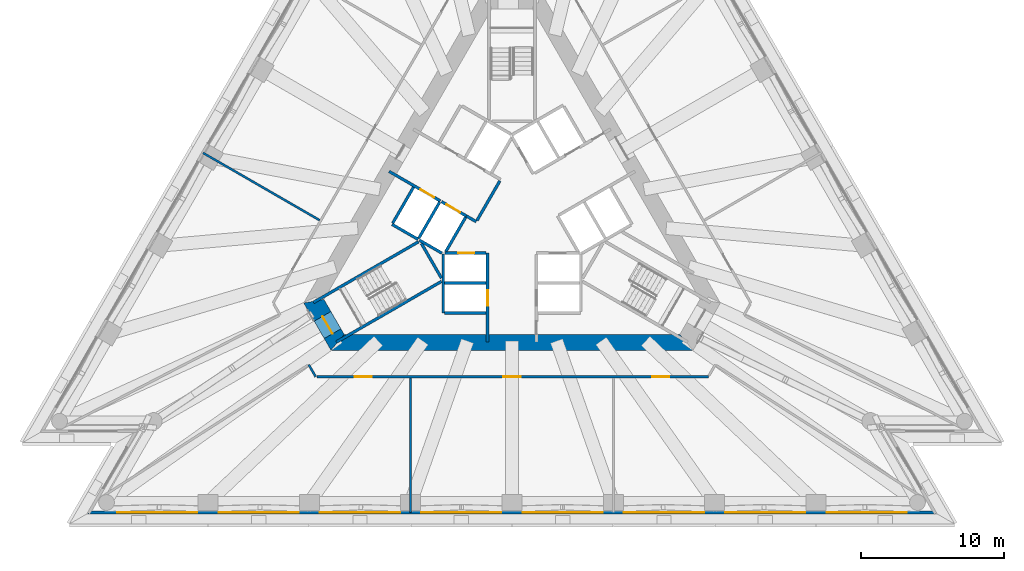
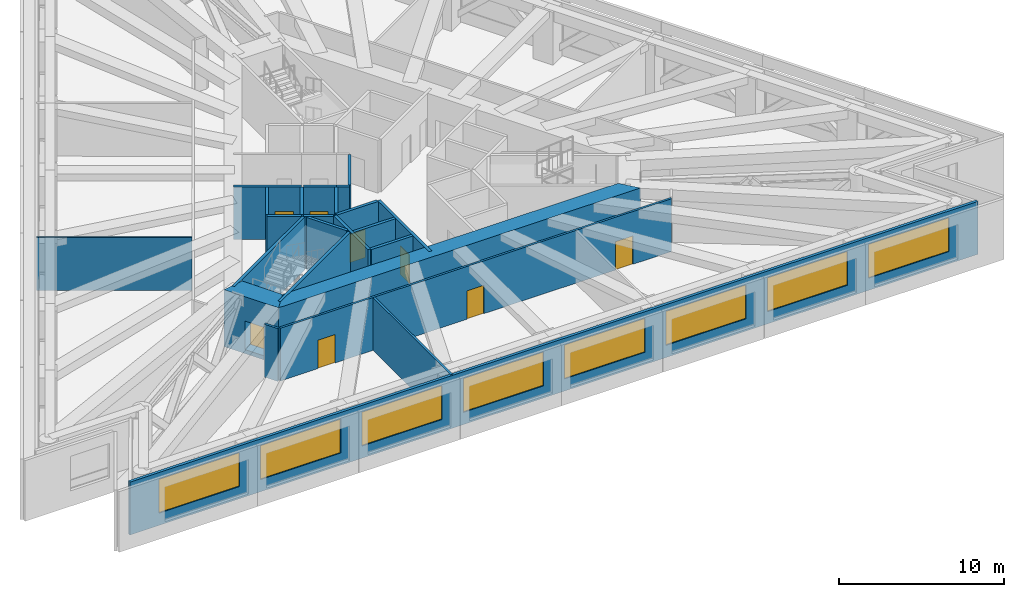
# One storey, part 7 of 13: 24 walls, 8 doors, 8 windows, 16 openings.
"""IFC4 building model written with IfcOpenShell, lengths in metres."""

from ifc_helpers import new_model, si_unit, direction, frame, frame_2d, origin, place, context, subcontext, project, spatial, polyline, rectangle, outline, extrude, material, layer, layer_set, layer_usage, type_object, element, fill, save


model = new_model("IFC4")

# Units and contexts
model_context = context("Model", 3, precision=1e-05, world=origin(), true_north=direction((0.0, 1.0)))
body_context = subcontext(model_context, "Body", "Model", "MODEL_VIEW")
ifc_project = project(units=[si_unit("LENGTHUNIT", "METRE"), si_unit("AREAUNIT", "SQUARE_METRE"), si_unit("VOLUMEUNIT", "CUBIC_METRE"), si_unit("PLANEANGLEUNIT", "RADIAN"), si_unit("MASSUNIT", "GRAM", prefix="KILO")], contexts=[model_context])

# Site, building, storey
site_placement = place(None, origin())
site = spatial("IfcSite", under=ifc_project, at=site_placement, CompositionType="ELEMENT")
building_placement = place(site_placement, origin())
building = spatial("IfcBuilding", under=site, at=building_placement, Name="Triada Interchange Tower", CompositionType="ELEMENT")
storey_placement = place(building_placement, frame((0.0, 0.0, 95.300048828125)))
storey = spatial("IfcBuildingStorey", under=building, at=storey_placement, Name="L21", CompositionType="ELEMENT", Elevation=95.300048828125)

# Walls
ifc_material_1 = material(Name="Concrete C30/37", Category="concrete")
ifc_layer_1 = layer(ifc_material_1, 0.199951171875)
ifc_layer_set_1 = layer_set([ifc_layer_1], Name="CORE WALL 200 EI 120")
wall_type_1 = type_object("IfcWallType", Name="CORE WALL 200 EI 120", PredefinedType="SOLIDWALL", material=ifc_layer_set_1)
wall_1_placement = place(storey_placement, frame((-8.3759765625, -0.70703125, 0.0), z_axis=(0.0, 0.0, 1.0), x_axis=(0.866067520717, -0.499927044236, 0.0)))
element("IfcWall", 1, at=wall_1_placement, inside=storey, type_object=wall_type_1, Name="Wall L21 22", PredefinedType="SOLIDWALL", context=body_context, shape_type="SweptSolid", body=[
    extrude(rectangle(XDim=2.100341796875, YDim=0.199951171875, at=frame_2d((1.05029296875, 0.0))), origin(), (0.0, 0.0, 1.0), 3.89990234375),
])
wall_2_placement = place(storey_placement, frame((-8.325927734375, -0.6201171875, 0.0), z_axis=(0.0, 0.0, 1.0), x_axis=(0.500023687443, 0.866011727401, 0.0)))
element("IfcWall", 2, at=wall_2_placement, inside=storey, type_object=wall_type_1, Name="Wall L21 23", PredefinedType="SOLIDWALL", context=body_context, shape_type="SweptSolid", body=[
    extrude(rectangle(XDim=2.899658203125, YDim=0.199951171875, at=frame_2d((1.44970703125, 0.0))), origin(), (0.0, 0.0, 1.0), 3.89990234375),
])
wall_3_placement = place(storey_placement, frame((-4.699951171875, -4.800048828125, 0.0), z_axis=(0.0, 0.0, 1.0), x_axis=(1.0, 0.0, 0.0)))
element("IfcWall", 3, at=wall_3_placement, inside=storey, type_object=wall_type_1, Name="Wall L21 24", PredefinedType="SOLIDWALL", context=body_context, shape_type="SweptSolid", body=[
    extrude(rectangle(XDim=2.89990234375, YDim=0.199951171875, at=frame_2d((1.449951171875, 0.0))), origin(), (0.0, 0.0, 1.0), 3.89990234375),
])
wall_4_placement = place(storey_placement, frame((-4.800048828125, -6.89990234375, 0.0), z_axis=(0.0, 0.0, 1.0), x_axis=(0.0, 1.0, 0.0)))
element("IfcWall", 4, at=wall_4_placement, inside=storey, type_object=wall_type_1, Name="Wall L21 26", PredefinedType="SOLIDWALL", context=body_context, shape_type="SweptSolid", body=[
    extrude(rectangle(XDim=4.130859375, YDim=0.199951171875, at=frame_2d((2.0654296875, 0.0))), origin(), (0.0, 0.0, 1.0), 3.89990234375),
])
wall_5_placement = place(storey_placement, frame((-4.699951171875, -6.89990234375, 0.0), z_axis=(0.0, 0.0, 1.0), x_axis=(1.0, 0.0, 0.0)))
element("IfcWall", 5, at=wall_5_placement, inside=storey, type_object=wall_type_1, Name="Wall L21 27", PredefinedType="SOLIDWALL", context=body_context, shape_type="SweptSolid", body=[
    extrude(rectangle(XDim=2.89990234375, YDim=0.199951171875, at=frame_2d((1.449951171875, 0.0))), origin(), (0.0, 0.0, 1.0), 3.89990234375),
])

# Wall, opening, door
wall_6_placement = place(storey_placement, frame((-1.699951171875, -8.929931640625, 0.0), z_axis=(0.0, 0.0, 1.0), x_axis=(0.0, 1.0, 0.0)))
wall_6 = element("IfcWall", 6, at=wall_6_placement, inside=storey, type_object=wall_type_1, Name="Wall L21 29", PredefinedType="SOLIDWALL", context=body_context, shape_type="SweptSolid", body=[
    extrude(rectangle(XDim=6.22705078125, YDim=0.199951171875, at=frame_2d((3.113525390625, 0.0))), origin(), (0.0, 0.0, 1.0), 3.89990234375),
])
opening_1_placement = place(wall_6_placement, frame((2.530029296875, 0.0, 0.0)))
opening_1 = element("IfcOpeningElement", 7, at=opening_1_placement, cuts=wall_6, Name="Opening LD-LR4", PredefinedType="OPENING", context=body_context, shape_type="SweptSolid", body=[
    extrude(rectangle(XDim=1.10009765625, YDim=2.10009765625, at=frame_2d((0.550048828125, 1.050048828125))), frame((0.0, 0.10986328125, 0.0), z_axis=(0.0, -1.0, 0.0), x_axis=(1.0, 0.0, 0.0)), (0.0, 0.0, 1.0), 0.219970703125),
])
ifc_material_2 = material(Name="Steel S235 door leaf", Category="steel")
door_type_1 = type_object("IfcDoorType", Name="LIFT LANDING DOOR 1100 EI 120", OperationType="SLIDING_TO_LEFT", PredefinedType="DOOR", material=ifc_material_2)
door_1_placement = place(opening_1_placement, origin())
door_1 = element("IfcDoor", 8, at=door_1_placement, inside=storey, type_object=door_type_1, Name="LR4 landing door L21", OperationType="SLIDING_TO_LEFT", OverallHeight=2.10009765625, OverallWidth=1.10009765625, PredefinedType="DOOR", context=body_context, shape_type="SweptSolid", body=[
    extrude(rectangle(XDim=1.10009765625, YDim=2.10009765625, at=frame_2d((0.550048828125, 1.050048828125))), frame((0.0, 0.02490234375, 0.0), z_axis=(0.0, -1.0, 0.0), x_axis=(1.0, 0.0, 0.0)), (0.0, 0.0, 1.0), 0.050048828125),
])
fill(opening_1, door_1)

wall_7_placement = place(storey_placement, frame((-4.676025390625, -2.699951171875, 0.0), z_axis=(0.0, 0.0, 1.0), x_axis=(1.0, 0.0, 0.0)))
wall_7 = element("IfcWall", 9, at=wall_7_placement, inside=storey, type_object=wall_type_1, Name="Wall L21 30", PredefinedType="SOLIDWALL", context=body_context, shape_type="SweptSolid", body=[
    extrude(rectangle(XDim=2.873046875, YDim=0.199951171875, at=frame_2d((1.4365234375, 0.0))), origin(), (0.0, 0.0, 1.0), 3.89990234375),
])
opening_2_placement = place(wall_7_placement, frame((0.93701171875, 0.0, 0.0)))
opening_2 = element("IfcOpeningElement", 10, at=opening_2_placement, cuts=wall_7, Name="Opening LD-LR3", PredefinedType="OPENING", context=body_context, shape_type="SweptSolid", body=[
    extrude(rectangle(XDim=1.10009765625, YDim=2.10009765625, at=frame_2d((0.550048828125, 1.050048828125))), frame((0.0, 0.10986328125, 0.0), z_axis=(0.0, -1.0, 0.0), x_axis=(1.0, 0.0, 0.0)), (0.0, 0.0, 1.0), 0.219970703125),
])
door_2_placement = place(opening_2_placement, origin())
door_2 = element("IfcDoor", 11, at=door_2_placement, inside=storey, type_object=door_type_1, Name="LR3 landing door L21", OperationType="SLIDING_TO_LEFT", OverallHeight=2.10009765625, OverallWidth=1.10009765625, PredefinedType="DOOR", context=body_context, shape_type="SweptSolid", body=[
    extrude(rectangle(XDim=1.10009765625, YDim=2.10009765625, at=frame_2d((0.550048828125, 1.050048828125))), frame((0.0, 0.02490234375, 0.0), z_axis=(0.0, -1.0, 0.0), x_axis=(1.0, 0.0, 0.0)), (0.0, 0.0, 1.0), 0.050048828125),
])
fill(opening_2, door_2)

ifc_layer_2 = layer(ifc_material_1, 0.199951171875)
ifc_layer_set_2 = layer_set([ifc_layer_2], Name="CORE WALL 200 EI 180")
wall_type_2 = type_object("IfcWallType", Name="CORE WALL 200 EI 180", PredefinedType="SOLIDWALL", material=ifc_layer_set_2)
wall_8_placement = place(storey_placement, frame((-8.583984375, 2.992919921875, 0.0), z_axis=(0.0, 0.0, 1.0), x_axis=(0.866075409494, -0.499913377567, 0.0)))
wall_8 = element("IfcWall", 12, at=wall_8_placement, inside=storey, type_object=wall_type_2, Name="Wall L21 44", PredefinedType="SOLIDWALL", context=body_context, shape_type="SweptSolid", body=[
    extrude(rectangle(XDim=4.132568359375, YDim=0.199951171875, at=frame_2d((2.06640625, 0.0))), origin(), (0.0, 0.0, 1.0), 3.89990234375),
])
opening_3_placement = place(wall_8_placement, frame((2.530029296875, 0.0, 0.0)))
opening_3 = element("IfcOpeningElement", 13, at=opening_3_placement, cuts=wall_8, Name="Opening LD-SV1", PredefinedType="OPENING", context=body_context, shape_type="SweptSolid", body=[
    extrude(rectangle(XDim=1.10009765625, YDim=2.10009765625, at=frame_2d((0.550048828125, 1.050048828125))), frame((0.0, 0.10986328125, 0.0), z_axis=(0.0, -1.0, 0.0), x_axis=(1.0, 0.0, 0.0)), (0.0, 0.0, 1.0), 0.219970703125),
])
door_3_placement = place(opening_3_placement, origin())
door_3 = element("IfcDoor", 14, at=door_3_placement, inside=storey, type_object=door_type_1, Name="SV1 landing door L21", OperationType="SLIDING_TO_LEFT", OverallHeight=2.10009765625, OverallWidth=1.10009765625, PredefinedType="DOOR", context=body_context, shape_type="SweptSolid", body=[
    extrude(rectangle(XDim=1.10009765625, YDim=2.10009765625, at=frame_2d((0.550048828125, 1.050048828125))), frame((0.0, 0.02490234375, 0.0), z_axis=(0.0, -1.0, 0.0), x_axis=(1.0, 0.0, 0.0)), (0.0, 0.0, 1.0), 0.050048828125),
])
fill(opening_3, door_3)

# Walls
wall_9_placement = place(storey_placement, frame((-3.18798828125, -0.1220703125, 0.0), z_axis=(0.0, 0.0, 1.0), x_axis=(0.865705793592, -0.50055317294, 0.0)))
element("IfcWall", 15, at=wall_9_placement, inside=storey, type_object=wall_type_2, Name="Wall L21 45", PredefinedType="SOLIDWALL", context=body_context, shape_type="SweptSolid", body=[
    extrude(rectangle(XDim=0.796875, YDim=0.199951171875, at=frame_2d((0.3984375, 0.0))), origin(), (0.0, 0.0, 1.0), 3.89990234375),
])
wall_10_placement = place(storey_placement, frame((-2.444091796875, -0.43310546875, 0.0), z_axis=(0.0, 0.0, 1.0), x_axis=(0.500035624827, 0.866004834804, 0.0)))
element("IfcWall", 16, at=wall_10_placement, inside=storey, type_object=wall_type_2, Name="Wall L21 50", PredefinedType="SOLIDWALL", context=body_context, shape_type="SweptSolid", body=[
    extrude(rectangle(XDim=3.194091796875, YDim=0.199951171875, at=frame_2d((1.59716796875, 0.0))), origin(), (0.0, 0.0, 1.0), 3.89990234375),
])
wall_11_placement = place(storey_placement, frame((-6.507080078125, -1.669921875, 0.0), z_axis=(0.0, 0.0, 1.0), x_axis=(0.50012328804, 0.865954211699, 0.0)))
element("IfcWall", 17, at=wall_11_placement, inside=storey, type_object=wall_type_2, Name="Shaft wall FF1 L21 51", PredefinedType="SOLIDWALL", context=body_context, shape_type="SweptSolid", body=[
    extrude(rectangle(XDim=2.899658203125, YDim=0.199951171875, at=frame_2d((1.44970703125, 0.0))), origin(), (0.0, 0.0, 1.0), 3.89990234375),
])
wall_12_placement = place(storey_placement, frame((-6.469970703125, -1.806884765625, 0.0), z_axis=(0.0, 0.0, 1.0), x_axis=(0.865883195159, -0.500246231712, 0.0)))
element("IfcWall", 18, at=wall_12_placement, inside=storey, type_object=wall_type_2, Name="Shaft wall FF1 L21 52", PredefinedType="SOLIDWALL", context=body_context, shape_type="SweptSolid", body=[
    extrude(rectangle(XDim=1.8154296875, YDim=0.199951171875, at=frame_2d((0.90771484375, 0.0))), origin(), (0.0, 0.0, 1.0), 3.89990234375),
])

# Wall, opening, door
wall_13_placement = place(storey_placement, frame((-4.922119140625, 0.87890625, 0.0), z_axis=(0.0, 0.0, 1.0), x_axis=(0.866073918653, -0.499915960366, 0.0)))
wall_13 = element("IfcWall", 19, at=wall_13_placement, inside=storey, type_object=wall_type_2, Name="Shaft wall FF1 L21 53", PredefinedType="SOLIDWALL", context=body_context, shape_type="SweptSolid", body=[
    extrude(rectangle(XDim=2.002197265625, YDim=0.199951171875, at=frame_2d((1.0009765625, 0.0))), origin(), (0.0, 0.0, 1.0), 3.89990234375),
])
opening_4_placement = place(wall_13_placement, frame((0.402099609375, 0.0, 0.0)))
opening_4 = element("IfcOpeningElement", 20, at=opening_4_placement, cuts=wall_13, Name="Opening LD-FF1", PredefinedType="OPENING", context=body_context, shape_type="SweptSolid", body=[
    extrude(rectangle(XDim=1.10009765625, YDim=2.10009765625, at=frame_2d((0.550048828125, 1.050048828125))), frame((0.0, 0.10986328125, 0.0), z_axis=(0.0, -1.0, 0.0), x_axis=(1.0, 0.0, 0.0)), (0.0, 0.0, 1.0), 0.219970703125),
])
door_4_placement = place(opening_4_placement, origin())
door_4 = element("IfcDoor", 21, at=door_4_placement, inside=storey, type_object=door_type_1, Name="FF1 landing door L21", OperationType="SLIDING_TO_LEFT", OverallHeight=2.10009765625, OverallWidth=1.10009765625, PredefinedType="DOOR", context=body_context, shape_type="SweptSolid", body=[
    extrude(rectangle(XDim=1.10009765625, YDim=2.10009765625, at=frame_2d((0.550048828125, 1.050048828125))), frame((0.0, 0.02490234375, 0.0), z_axis=(0.0, -1.0, 0.0), x_axis=(1.0, 0.0, 0.0)), (0.0, 0.0, 1.0), 0.050048828125),
])
fill(opening_4, door_4)

# Walls
wall_14_placement = place(storey_placement, frame((-4.618896484375, -2.60009765625, 0.0), z_axis=(0.0, 0.0, 1.0), x_axis=(0.50009492287, 0.865970593103, 0.0)))
element("IfcWall", 22, at=wall_14_placement, inside=storey, type_object=wall_type_2, Name="Shaft wall FF1 L21 54", PredefinedType="SOLIDWALL", context=body_context, shape_type="SweptSolid", body=[
    extrude(rectangle(XDim=2.76123046875, YDim=0.199951171875, at=frame_2d((1.380615234375, 0.0))), origin(), (0.0, 0.0, 1.0), 3.89990234375),
])
ifc_layer_3 = layer(ifc_material_1, 0.199951171875)
ifc_layer_set_3 = layer_set([ifc_layer_3], Name="CORE WALL 200 REI 240")
wall_type_3 = type_object("IfcWallType", Name="CORE WALL 200 REI 240", PredefinedType="SOLIDWALL", material=ifc_layer_set_3)
wall_15_placement = place(storey_placement, frame((-13.866943359375, -6.158935546875, 0.0), z_axis=(0.0, 0.0, 1.0), x_axis=(0.866010926821, 0.500025073997, 0.0)))
element("IfcWall", 23, at=wall_15_placement, inside=storey, type_object=wall_type_3, Name="Wall L21 60", PredefinedType="SOLIDWALL", context=body_context, shape_type="SweptSolid", body=[
    extrude(rectangle(XDim=8.47314453125, YDim=0.199951171875, at=frame_2d((4.236572265625, 0.0))), origin(), (0.0, 0.0, 1.0), 3.89990234375),
])
wall_16_placement = place(storey_placement, frame((-6.3291015625, -2.0380859375, 0.0), z_axis=(0.0, 0.0, 1.0), x_axis=(0.500200581029, -0.865909567298, 0.0)))
element("IfcWall", 24, at=wall_16_placement, inside=storey, type_object=wall_type_3, Name="Wall L21 61", PredefinedType="SOLIDWALL", context=body_context, shape_type="SweptSolid", body=[
    extrude(rectangle(XDim=2.799072265625, YDim=0.199951171875, at=frame_2d((1.3994140625, 0.0))), origin(), (0.0, 0.0, 1.0), 3.89990234375),
])
wall_17_placement = place(storey_placement, frame((-12.26708984375, -8.929931640625, 0.0), z_axis=(0.0, 0.0, 1.0), x_axis=(0.866018130586, 0.500012597338, 0.0)))
element("IfcWall", 25, at=wall_17_placement, inside=storey, type_object=wall_type_3, Name="Wall L21 62", PredefinedType="SOLIDWALL", context=body_context, shape_type="SweptSolid", body=[
    extrude(rectangle(XDim=8.473388671875, YDim=0.199951171875, at=frame_2d((4.23681640625, 0.0))), origin(), (0.0, 0.0, 1.0), 3.89990234375),
])
ifc_material_3 = material(Name="Concrete C70/85", Category="concrete")
ifc_layer_4 = layer(ifc_material_3, 1.10009765625)
ifc_layer_set_4 = layer_set([ifc_layer_4], Name="Core wall A 1100")
wall_type_4 = type_object("IfcWallType", Name="Core wall A 1100", PredefinedType="SHEAR", material=ifc_layer_set_4)
wall_18_placement = place(storey_placement, frame((-12.181884765625, -8.949951171875, -0.300048828125), z_axis=(0.0, 0.0, 1.0), x_axis=(1.0, 0.0, 0.0)))
element("IfcWall", 26, at=wall_18_placement, inside=storey, type_object=wall_type_4, Name="Core wall WA04 L21", PredefinedType="SHEAR", context=body_context, shape_type="SweptSolid", body=[
    extrude(outline(polyline([(-0.4619140625, -0.550048828125), (1.4833984375, -0.550048828125), (3.428466796875, -0.550048828125), (5.373779296875, -0.550048828125), (7.31884765625, -0.550048828125), (9.26416015625, -0.550048828125), (11.20947265625, -0.550048828125), (13.154541015625, -0.550048828125), (15.099853515625, -0.550048828125), (17.045166015625, -0.550048828125), (18.990234375, -0.550048828125), (20.935546875, -0.550048828125), (22.880615234375, -0.550048828125), (24.825927734375, -0.550048828125), (23.902099609375, 0.550048828125), (21.94873046875, 0.550048828125), (19.995361328125, 0.550048828125), (18.0419921875, 0.550048828125), (16.088623046875, 0.550048828125), (14.13525390625, 0.550048828125), (12.18212890625, 0.550048828125), (10.228759765625, 0.550048828125), (8.275390625, 0.550048828125), (6.322021484375, 0.550048828125), (4.36865234375, 0.550048828125), (2.415283203125, 0.550048828125), (0.4619140625, 0.550048828125), (-0.4619140625, -0.550048828125)])), origin(), (0.0, 0.0, 1.0), 4.199951171875),
])

# Wall, opening, door
ifc_layer_5 = layer(ifc_material_3, 1.35009765625)
ifc_layer_set_5 = layer_set([ifc_layer_5], Name="Core wall A 1350")
wall_type_5 = type_object("IfcWallType", Name="Core wall A 1350", PredefinedType="SHEAR", material=ifc_layer_set_5)
wall_19_placement = place(storey_placement, frame((-13.842041015625, -6.074951171875, -0.300048828125), z_axis=(0.0, 0.0, 1.0), x_axis=(0.500061949227, -0.865989634427, 0.0)))
wall_19 = element("IfcWall", 27, at=wall_19_placement, inside=storey, type_object=wall_type_5, Name="Core wall WA03 L21", PredefinedType="SHEAR", context=body_context, shape_type="SweptSolid", body=[
    extrude(outline(polyline([(-0.2451171875, -0.675048828125), (1.659912109375, -0.675048828125), (3.56494140625, -0.675048828125), (3.074951171875, 0.675048828125), (1.66015625, 0.675048828125), (0.2451171875, 0.675048828125), (-0.2451171875, -0.675048828125)])), origin(), (0.0, 0.0, 1.0), 4.199951171875),
])
opening_5_placement = place(wall_19_placement, frame((1.220947265625, 0.0, 0.300048828125)))
opening_5 = element("IfcOpeningElement", 28, at=opening_5_placement, cuts=wall_19, Name="Opening D21-22", PredefinedType="OPENING", context=body_context, shape_type="SweptSolid", body=[
    extrude(rectangle(XDim=1.39990234375, YDim=2.10009765625, at=frame_2d((0.699951171875, 1.050048828125))), frame((0.0, 0.68505859375, 0.0), z_axis=(0.0, -1.0, 0.0), x_axis=(1.0, 0.0, 0.0)), (0.0, 0.0, 1.0), 1.3701171875),
])
door_type_2 = type_object("IfcDoorType", Name="STAIR DOOR 1400 EI2 90-C5S200", OperationType="DOUBLE_DOOR_SINGLE_SWING", PredefinedType="DOOR", material=ifc_material_2)
door_5_placement = place(opening_5_placement, origin())
door_5 = element("IfcDoor", 29, at=door_5_placement, inside=storey, type_object=door_type_2, Name="Door D21-22 L21", OperationType="DOUBLE_DOOR_SINGLE_SWING", OverallHeight=2.10009765625, OverallWidth=1.39990234375, PredefinedType="DOOR", context=body_context, shape_type="SweptSolid", body=[
    extrude(rectangle(XDim=1.39990234375, YDim=2.10009765625, at=frame_2d((0.699951171875, 1.050048828125))), frame((0.0, 0.02490234375, 0.0), z_axis=(0.0, -1.0, 0.0), x_axis=(1.0, 0.0, 0.0)), (0.0, 0.0, 1.0), 0.050048828125),
])
fill(opening_5, door_5)

# Wall, openings, windows
ifc_material_4 = material(Name="Cement board")
ifc_layer_6 = layer(ifc_material_4, 0.02001953125, Name="Cement board cladding")
ifc_material_5 = material(Name="Sheathing board")
ifc_layer_7 = layer(ifc_material_5, 0.014892578125, Name="Sheathing board")
ifc_material_6 = material(Name="Mineral wool")
ifc_layer_8 = layer(ifc_material_6, 0.14990234375, Name="Mineral wool between steel studs")
ifc_material_7 = material(Name="Gypsum board")
ifc_layer_9 = layer(ifc_material_7, 0.014892578125, Name="Plasterboard lining")
ifc_layer_set_6 = layer_set([ifc_layer_6, ifc_layer_7, ifc_layer_8, ifc_layer_9], Name="External wall 200")
ifc_layer_usage = layer_usage(ifc_layer_set_6, "AXIS2", "POSITIVE", -0.10009765625)
wall_type_6 = type_object("IfcWallType", Name="External wall 200", PredefinedType="ELEMENTEDWALL", material=ifc_layer_set_6)
wall_20_placement = place(storey_placement, frame((-29.6220703125, -20.8369140625, 0.0), z_axis=(0.0, 0.0, 1.0), x_axis=(1.0, 0.0, 0.0)))
wall_20 = element("IfcWall", 30, at=wall_20_placement, inside=storey, type_object=wall_type_6, material=ifc_layer_usage, Name="External wall L21 S", PredefinedType="ELEMENTEDWALL", context=body_context, shape_type="SweptSolid", body=[
    extrude(rectangle(XDim=59.22412109375, YDim=0.199951171875, at=frame_2d((29.612060546875, 0.0))), origin(), (0.0, 0.0, 1.0), 3.89990234375),
])
opening_6_placement = place(wall_20_placement, frame((2.04296875, 0.0, 0.89990234375)))
opening_6 = element("IfcOpeningElement", 31, at=opening_6_placement, cuts=wall_20, Name="Opening WA11", PredefinedType="OPENING", context=body_context, shape_type="SweptSolid", body=[
    extrude(rectangle(XDim=5.60009765625, YDim=2.5, at=frame_2d((2.800048828125, 1.25))), frame((0.0, 0.10986328125, 0.0), z_axis=(0.0, -1.0, 0.0), x_axis=(1.0, 0.0, 0.0)), (0.0, 0.0, 1.0), 0.219970703125),
])
opening_7_placement = place(wall_20_placement, frame((9.123046875, 0.0, 0.89990234375)))
opening_7 = element("IfcOpeningElement", 32, at=opening_7_placement, cuts=wall_20, Name="Opening WA12", PredefinedType="OPENING", context=body_context, shape_type="SweptSolid", body=[
    extrude(rectangle(XDim=5.60009765625, YDim=2.5, at=frame_2d((2.800048828125, 1.25))), frame((0.0, 0.10986328125, 0.0), z_axis=(0.0, -1.0, 0.0), x_axis=(1.0, 0.0, 0.0)), (0.0, 0.0, 1.0), 0.219970703125),
])
opening_8_placement = place(wall_20_placement, frame((16.201904296875, 0.0, 0.89990234375)))
opening_8 = element("IfcOpeningElement", 33, at=opening_8_placement, cuts=wall_20, Name="Opening WA13", PredefinedType="OPENING", context=body_context, shape_type="SweptSolid", body=[
    extrude(rectangle(XDim=5.60009765625, YDim=2.5, at=frame_2d((2.800048828125, 1.25))), frame((0.0, 0.10986328125, 0.0), z_axis=(0.0, -1.0, 0.0), x_axis=(1.0, 0.0, 0.0)), (0.0, 0.0, 1.0), 0.219970703125),
])
opening_9_placement = place(wall_20_placement, frame((23.281982421875, 0.0, 0.89990234375)))
opening_9 = element("IfcOpeningElement", 34, at=opening_9_placement, cuts=wall_20, Name="Opening WA14", PredefinedType="OPENING", context=body_context, shape_type="SweptSolid", body=[
    extrude(rectangle(XDim=5.60009765625, YDim=2.5, at=frame_2d((2.800048828125, 1.25))), frame((0.0, 0.10986328125, 0.0), z_axis=(0.0, -1.0, 0.0), x_axis=(1.0, 0.0, 0.0)), (0.0, 0.0, 1.0), 0.219970703125),
])
opening_10_placement = place(wall_20_placement, frame((30.362060546875, 0.0, 0.89990234375)))
opening_10 = element("IfcOpeningElement", 35, at=opening_10_placement, cuts=wall_20, Name="Opening WA15", PredefinedType="OPENING", context=body_context, shape_type="SweptSolid", body=[
    extrude(rectangle(XDim=5.60009765625, YDim=2.5, at=frame_2d((2.800048828125, 1.25))), frame((0.0, 0.10986328125, 0.0), z_axis=(0.0, -1.0, 0.0), x_axis=(1.0, 0.0, 0.0)), (0.0, 0.0, 1.0), 0.219970703125),
])
opening_11_placement = place(wall_20_placement, frame((37.44189453125, 0.0, 0.89990234375)))
opening_11 = element("IfcOpeningElement", 36, at=opening_11_placement, cuts=wall_20, Name="Opening WA16", PredefinedType="OPENING", context=body_context, shape_type="SweptSolid", body=[
    extrude(rectangle(XDim=5.60009765625, YDim=2.5, at=frame_2d((2.800048828125, 1.25))), frame((0.0, 0.10986328125, 0.0), z_axis=(0.0, -1.0, 0.0), x_axis=(1.0, 0.0, 0.0)), (0.0, 0.0, 1.0), 0.219970703125),
])
opening_12_placement = place(wall_20_placement, frame((44.52099609375, 0.0, 0.89990234375)))
opening_12 = element("IfcOpeningElement", 37, at=opening_12_placement, cuts=wall_20, Name="Opening WA17", PredefinedType="OPENING", context=body_context, shape_type="SweptSolid", body=[
    extrude(rectangle(XDim=5.60009765625, YDim=2.5, at=frame_2d((2.800048828125, 1.25))), frame((0.0, 0.10986328125, 0.0), z_axis=(0.0, -1.0, 0.0), x_axis=(1.0, 0.0, 0.0)), (0.0, 0.0, 1.0), 0.219970703125),
])
opening_13_placement = place(wall_20_placement, frame((51.60107421875, 0.0, 0.89990234375)))
opening_13 = element("IfcOpeningElement", 38, at=opening_13_placement, cuts=wall_20, Name="Opening WA18", PredefinedType="OPENING", context=body_context, shape_type="SweptSolid", body=[
    extrude(rectangle(XDim=5.60009765625, YDim=2.5, at=frame_2d((2.800048828125, 1.25))), frame((0.0, 0.10986328125, 0.0), z_axis=(0.0, -1.0, 0.0), x_axis=(1.0, 0.0, 0.0)), (0.0, 0.0, 1.0), 0.219970703125),
])
ifc_material_8 = material(Name="Double glazed aluminium window", Category="aluminium")
window_type = type_object("IfcWindowType", Name="Ribbon window A face", PartitioningType="SINGLE_PANEL", PredefinedType="WINDOW", material=ifc_material_8)
window_1_placement = place(opening_6_placement, origin())
window_1 = element("IfcWindow", 39, at=window_1_placement, inside=storey, type_object=window_type, Name="Window L21 S 1", OverallHeight=2.5, OverallWidth=5.60009765625, PartitioningType="SINGLE_PANEL", PredefinedType="WINDOW", context=body_context, shape_type="SweptSolid", body=[
    extrude(rectangle(XDim=5.60009765625, YDim=2.5, at=frame_2d((2.800048828125, 1.25))), frame((0.0, 0.030029296875, 0.0), z_axis=(0.0, -1.0, 0.0), x_axis=(1.0, 0.0, 0.0)), (0.0, 0.0, 1.0), 0.06005859375),
])
fill(opening_6, window_1)
window_2_placement = place(opening_7_placement, origin())
window_2 = element("IfcWindow", 40, at=window_2_placement, inside=storey, type_object=window_type, Name="Window L21 S 2", OverallHeight=2.5, OverallWidth=5.60009765625, PartitioningType="SINGLE_PANEL", PredefinedType="WINDOW", context=body_context, shape_type="SweptSolid", body=[
    extrude(rectangle(XDim=5.60009765625, YDim=2.5, at=frame_2d((2.800048828125, 1.25))), frame((0.0, 0.030029296875, 0.0), z_axis=(0.0, -1.0, 0.0), x_axis=(1.0, 0.0, 0.0)), (0.0, 0.0, 1.0), 0.06005859375),
])
fill(opening_7, window_2)
window_3_placement = place(opening_8_placement, origin())
window_3 = element("IfcWindow", 41, at=window_3_placement, inside=storey, type_object=window_type, Name="Window L21 S 3", OverallHeight=2.5, OverallWidth=5.60009765625, PartitioningType="SINGLE_PANEL", PredefinedType="WINDOW", context=body_context, shape_type="SweptSolid", body=[
    extrude(rectangle(XDim=5.60009765625, YDim=2.5, at=frame_2d((2.800048828125, 1.25))), frame((0.0, 0.030029296875, 0.0), z_axis=(0.0, -1.0, 0.0), x_axis=(1.0, 0.0, 0.0)), (0.0, 0.0, 1.0), 0.06005859375),
])
fill(opening_8, window_3)
window_4_placement = place(opening_9_placement, origin())
window_4 = element("IfcWindow", 42, at=window_4_placement, inside=storey, type_object=window_type, Name="Window L21 S 4", OverallHeight=2.5, OverallWidth=5.60009765625, PartitioningType="SINGLE_PANEL", PredefinedType="WINDOW", context=body_context, shape_type="SweptSolid", body=[
    extrude(rectangle(XDim=5.60009765625, YDim=2.5, at=frame_2d((2.800048828125, 1.25))), frame((0.0, 0.030029296875, 0.0), z_axis=(0.0, -1.0, 0.0), x_axis=(1.0, 0.0, 0.0)), (0.0, 0.0, 1.0), 0.06005859375),
])
fill(opening_9, window_4)
window_5_placement = place(opening_10_placement, origin())
window_5 = element("IfcWindow", 43, at=window_5_placement, inside=storey, type_object=window_type, Name="Window L21 S 5", OverallHeight=2.5, OverallWidth=5.60009765625, PartitioningType="SINGLE_PANEL", PredefinedType="WINDOW", context=body_context, shape_type="SweptSolid", body=[
    extrude(rectangle(XDim=5.60009765625, YDim=2.5, at=frame_2d((2.800048828125, 1.25))), frame((0.0, 0.030029296875, 0.0), z_axis=(0.0, -1.0, 0.0), x_axis=(1.0, 0.0, 0.0)), (0.0, 0.0, 1.0), 0.06005859375),
])
fill(opening_10, window_5)
window_6_placement = place(opening_11_placement, origin())
window_6 = element("IfcWindow", 44, at=window_6_placement, inside=storey, type_object=window_type, Name="Window L21 S 6", OverallHeight=2.5, OverallWidth=5.60009765625, PartitioningType="SINGLE_PANEL", PredefinedType="WINDOW", context=body_context, shape_type="SweptSolid", body=[
    extrude(rectangle(XDim=5.60009765625, YDim=2.5, at=frame_2d((2.800048828125, 1.25))), frame((0.0, 0.030029296875, 0.0), z_axis=(0.0, -1.0, 0.0), x_axis=(1.0, 0.0, 0.0)), (0.0, 0.0, 1.0), 0.06005859375),
])
fill(opening_11, window_6)
window_7_placement = place(opening_12_placement, origin())
window_7 = element("IfcWindow", 45, at=window_7_placement, inside=storey, type_object=window_type, Name="Window L21 S 7", OverallHeight=2.5, OverallWidth=5.60009765625, PartitioningType="SINGLE_PANEL", PredefinedType="WINDOW", context=body_context, shape_type="SweptSolid", body=[
    extrude(rectangle(XDim=5.60009765625, YDim=2.5, at=frame_2d((2.800048828125, 1.25))), frame((0.0, 0.030029296875, 0.0), z_axis=(0.0, -1.0, 0.0), x_axis=(1.0, 0.0, 0.0)), (0.0, 0.0, 1.0), 0.06005859375),
])
fill(opening_12, window_7)
window_8_placement = place(opening_13_placement, origin())
window_8 = element("IfcWindow", 46, at=window_8_placement, inside=storey, type_object=window_type, Name="Window L21 S 8", OverallHeight=2.5, OverallWidth=5.60009765625, PartitioningType="SINGLE_PANEL", PredefinedType="WINDOW", context=body_context, shape_type="SweptSolid", body=[
    extrude(rectangle(XDim=5.60009765625, YDim=2.5, at=frame_2d((2.800048828125, 1.25))), frame((0.0, 0.030029296875, 0.0), z_axis=(0.0, -1.0, 0.0), x_axis=(1.0, 0.0, 0.0)), (0.0, 0.0, 1.0), 0.06005859375),
])
fill(opening_13, window_8)

# Wall
ifc_material_9 = material(Name="Gypsum board partition")
ifc_layer_10 = layer(ifc_material_9, 0.14990234375)
ifc_layer_set_7 = layer_set([ifc_layer_10], Name="PARTITION 150 EI 180")
wall_type_7 = type_object("IfcWallType", Name="PARTITION 150 EI 180", PredefinedType="PARTITIONING", material=ifc_layer_set_7)
wall_21_placement = place(storey_placement, frame((-14.198974609375, -10.507080078125, 0.0), z_axis=(0.0, 0.0, 1.0), x_axis=(0.500265064493, -0.865872314633, 0.0)))
element("IfcWall", 47, at=wall_21_placement, inside=storey, type_object=wall_type_7, Name="Wall L21 3", PredefinedType="PARTITIONING", context=body_context, shape_type="SweptSolid", body=[
    extrude(rectangle(XDim=0.9736328125, YDim=0.14990234375, at=frame_2d((0.48681640625, 0.0))), origin(), (0.0, 0.0, 1.0), 3.89990234375),
])

# Wall, openings, doors
wall_22_placement = place(storey_placement, frame((-13.625, -11.35009765625, 0.0), z_axis=(0.0, 0.0, 1.0), x_axis=(1.0, 0.0, 0.0)))
wall_22 = element("IfcWall", 48, at=wall_22_placement, inside=storey, type_object=wall_type_7, Name="Wall L21 6", PredefinedType="PARTITIONING", context=body_context, shape_type="SweptSolid", body=[
    extrude(rectangle(XDim=27.3369140625, YDim=0.14990234375, at=frame_2d((13.66845703125, 0.0))), origin(), (0.0, 0.0, 1.0), 3.89990234375),
])
opening_14_placement = place(wall_22_placement, frame((2.62890625, 0.0, 0.0)))
opening_14 = element("IfcOpeningElement", 49, at=opening_14_placement, cuts=wall_22, Name="Opening D21-14", PredefinedType="OPENING", context=body_context, shape_type="SweptSolid", body=[
    extrude(rectangle(XDim=1.199951171875, YDim=2.10009765625, at=frame_2d((0.60009765625, 1.050048828125))), frame((0.0, 0.0849609375, 0.0), z_axis=(0.0, -1.0, 0.0), x_axis=(1.0, 0.0, 0.0)), (0.0, 0.0, 1.0), 0.169921875),
])
opening_15_placement = place(wall_22_placement, frame((13.02490234375, 0.0, 0.0)))
opening_15 = element("IfcOpeningElement", 50, at=opening_15_placement, cuts=wall_22, Name="Opening D21-15", PredefinedType="OPENING", context=body_context, shape_type="SweptSolid", body=[
    extrude(rectangle(XDim=1.199951171875, YDim=2.10009765625, at=frame_2d((0.60009765625, 1.050048828125))), frame((0.0, 0.0849609375, 0.0), z_axis=(0.0, -1.0, 0.0), x_axis=(1.0, 0.0, 0.0)), (0.0, 0.0, 1.0), 0.169921875),
])
opening_16_placement = place(wall_22_placement, frame((23.4208984375, 0.0, 0.0)))
opening_16 = element("IfcOpeningElement", 51, at=opening_16_placement, cuts=wall_22, Name="Opening D21-16", PredefinedType="OPENING", context=body_context, shape_type="SweptSolid", body=[
    extrude(rectangle(XDim=1.199951171875, YDim=2.10009765625, at=frame_2d((0.60009765625, 1.050048828125))), frame((0.0, 0.0849609375, 0.0), z_axis=(0.0, -1.0, 0.0), x_axis=(1.0, 0.0, 0.0)), (0.0, 0.0, 1.0), 0.169921875),
])
door_type_3 = type_object("IfcDoorType", Name="DOUBLE ROOM DOOR 1200 EI2 45-C5S200", OperationType="DOUBLE_DOOR_SINGLE_SWING", PredefinedType="DOOR", material=ifc_material_2)
door_6_placement = place(opening_15_placement, origin())
door_6 = element("IfcDoor", 52, at=door_6_placement, inside=storey, type_object=door_type_3, Name="Door D21-15 L21", OperationType="DOUBLE_DOOR_SINGLE_SWING", OverallHeight=2.10009765625, OverallWidth=1.199951171875, PredefinedType="DOOR", context=body_context, shape_type="SweptSolid", body=[
    extrude(rectangle(XDim=1.199951171875, YDim=2.10009765625, at=frame_2d((0.60009765625, 1.050048828125))), frame((0.0, 0.02490234375, 0.0), z_axis=(0.0, -1.0, 0.0), x_axis=(1.0, 0.0, 0.0)), (0.0, 0.0, 1.0), 0.050048828125),
])
fill(opening_15, door_6)
door_7_placement = place(opening_16_placement, origin())
door_7 = element("IfcDoor", 53, at=door_7_placement, inside=storey, type_object=door_type_3, Name="Door D21-16 L21", OperationType="DOUBLE_DOOR_SINGLE_SWING", OverallHeight=2.10009765625, OverallWidth=1.199951171875, PredefinedType="DOOR", context=body_context, shape_type="SweptSolid", body=[
    extrude(rectangle(XDim=1.199951171875, YDim=2.10009765625, at=frame_2d((0.60009765625, 1.050048828125))), frame((0.0, 0.02490234375, 0.0), z_axis=(0.0, -1.0, 0.0), x_axis=(1.0, 0.0, 0.0)), (0.0, 0.0, 1.0), 0.050048828125),
])
fill(opening_16, door_7)
door_type_4 = type_object("IfcDoorType", Name="DOUBLE ROOM DOOR 1200 EI2 90-C5S200", OperationType="DOUBLE_DOOR_SINGLE_SWING", PredefinedType="DOOR", material=ifc_material_2)
door_8_placement = place(opening_14_placement, origin())
door_8 = element("IfcDoor", 54, at=door_8_placement, inside=storey, type_object=door_type_4, Name="Door D21-14 L21", OperationType="DOUBLE_DOOR_SINGLE_SWING", OverallHeight=2.10009765625, OverallWidth=1.199951171875, PredefinedType="DOOR", context=body_context, shape_type="SweptSolid", body=[
    extrude(rectangle(XDim=1.199951171875, YDim=2.10009765625, at=frame_2d((0.60009765625, 1.050048828125))), frame((0.0, 0.02490234375, 0.0), z_axis=(0.0, -1.0, 0.0), x_axis=(1.0, 0.0, 0.0)), (0.0, 0.0, 1.0), 0.050048828125),
])
fill(opening_14, door_8)

# Walls
for number, where, z_axis, x_axis, name in (
    (55, (-21.5849609375, 4.287109375, 0.0), (0.0, 0.0, 1.0), (0.866018845103, -0.500011359798, 0.0), "Wall L21 7"),
    (56, (-7.080078125, -20.8369140625, 0.0), (0.0, 0.0, 1.0), (0.0, 1.0, 0.0), "Wall L21 9"),
):
    element("IfcWall", number, at=place(storey_placement, frame(where, z_axis=z_axis, x_axis=x_axis)), inside=storey, type_object=wall_type_7, Name=name, PredefinedType="PARTITIONING", context=body_context, shape_type="SweptSolid", body=[
        extrude(rectangle(XDim=9.411865234375, YDim=0.14990234375, at=frame_2d((4.7060546875, 0.0))), origin(), (0.0, 0.0, 1.0), 3.89990234375),
    ])

save(model, "model.ifc")
